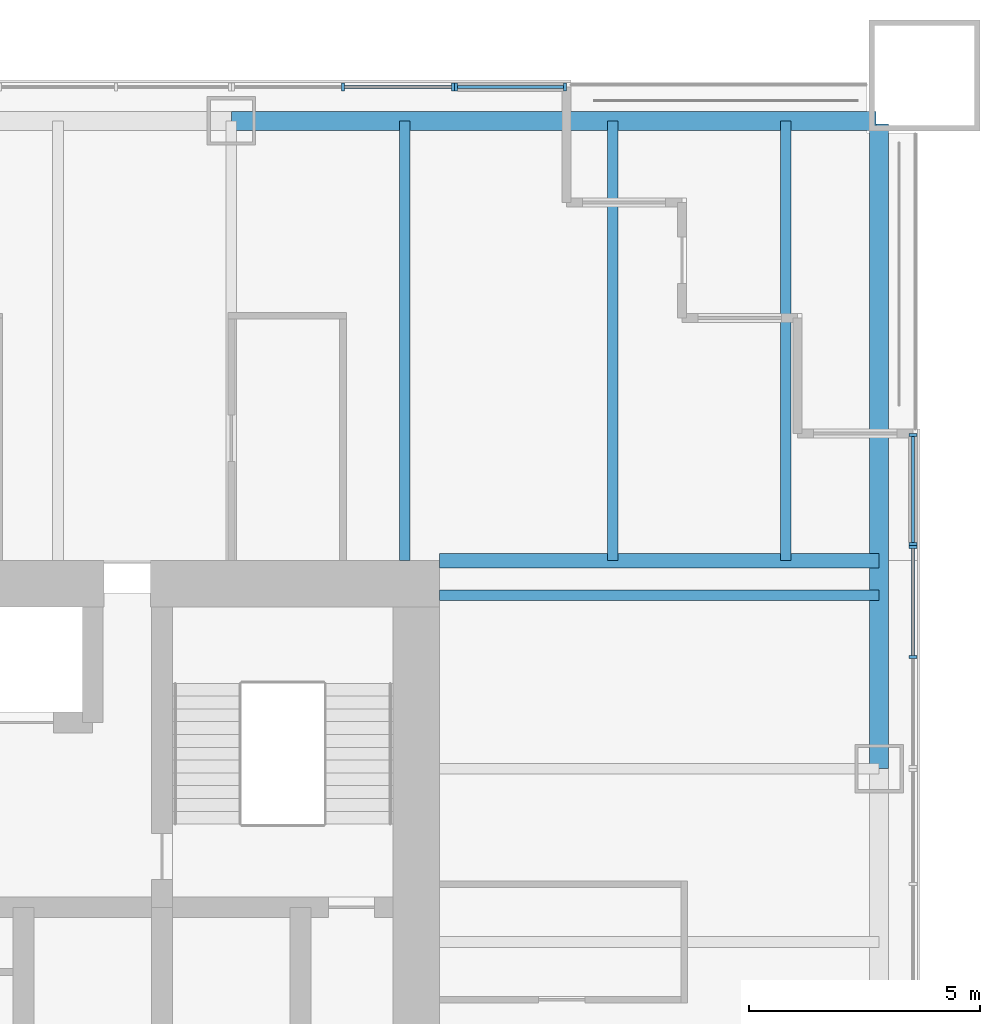
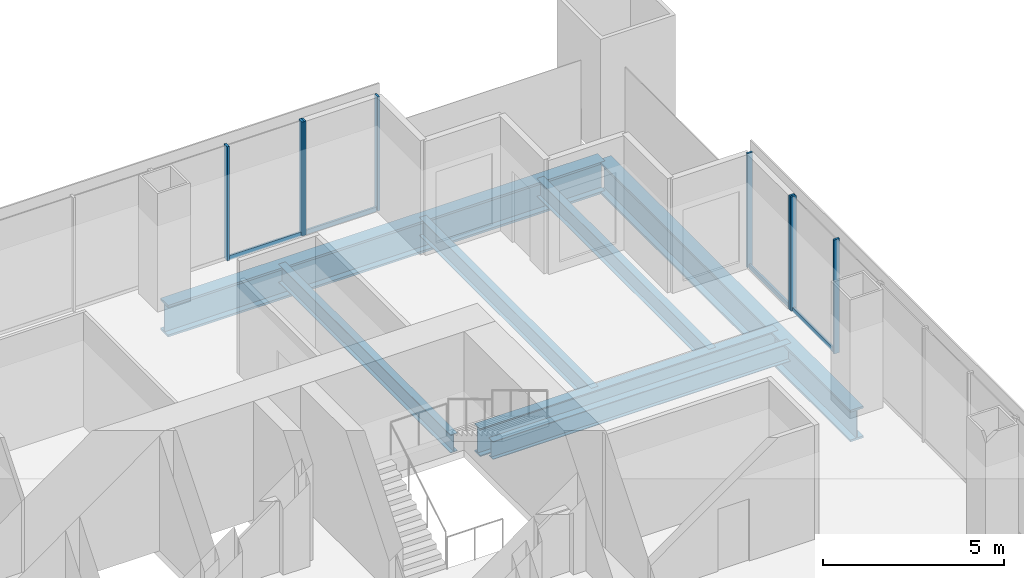
# One storey, part 6 of 13: 12 members, 7 beams, 4 elements without a shape of their own.
"""IFC4 building model written with IfcOpenShell, lengths in metres."""

from ifc_helpers import new_model, si_unit, direction, frame, origin, origin_2d, place, context, subcontext, project, spatial, rectangle, i_section, extrude, material, material_profile, profile_set, type_object, element, aggregate, save


model = new_model("IFC4")

# Units and contexts
model_context = context("Model", 3, precision=1e-05, world=origin(), true_north=direction((0.0, 1.0)))
body_context = subcontext(model_context, "Body", "Model", "MODEL_VIEW")
ifc_project = project(units=[si_unit("LENGTHUNIT", "METRE"), si_unit("AREAUNIT", "SQUARE_METRE"), si_unit("VOLUMEUNIT", "CUBIC_METRE"), si_unit("PLANEANGLEUNIT", "RADIAN"), si_unit("MASSUNIT", "GRAM", prefix="KILO")], contexts=[model_context])

# Site, building, storey
site_placement = place(None, origin())
site = spatial("IfcSite", under=ifc_project, at=site_placement, CompositionType="ELEMENT")
building_placement = place(site_placement, origin())
building = spatial("IfcBuilding", under=site, at=building_placement, Name="Tarangal Relay Tower", CompositionType="ELEMENT")
storey_placement = place(building_placement, frame((0.0, 0.0, 245.89990234375)))
storey = spatial("IfcBuildingStorey", under=building, at=storey_placement, Name="L53", CompositionType="ELEMENT", Elevation=245.89990234375)

# Beams
ifc_material_1 = material(Name="Steel ASTM A992", Category="steel")
ifc_material_profile_1 = material_profile(ifc_material_1, i_section(OverallWidth=0.227783203125, OverallDepth=0.60205078125, WebThickness=0.010498046875, FlangeThickness=0.014892578125, at=origin_2d()), Name="W24X68")
ifc_profile_set_1 = profile_set([ifc_material_profile_1], Name="Steel ASTM A992")
beam_type_1 = type_object("IfcBeamType", Name="Corner beam W24X68", PredefinedType="JOIST", material=ifc_profile_set_1)
for number, where, z_axis, x_axis, name in (
    (1, (15.75, 12.0, -0.450927734375), (0.0, 1.0, 0.0), (-1.0, 0.0, 0.0), "Corner beam CB11 N L53"),
    (2, (19.5, 12.0, -0.450927734375), (0.0, 1.0, 0.0), (-1.0, 0.0, 0.0), "Corner beam CB11 N L53"),
):
    element("IfcBeam", number, at=place(storey_placement, frame(where, z_axis=z_axis, x_axis=x_axis)), inside=storey, type_object=beam_type_1, Name=name, PredefinedType="JOIST", context=body_context, shape_type="SweptSolid", body=[
        extrude(i_section(OverallWidth=0.227783203125, OverallDepth=0.60205078125, WebThickness=0.010498046875, FlangeThickness=0.014892578125, at=origin_2d()), origin(), (0.0, 0.0, 1.0), 9.514892578125),
    ])
ifc_material_profile_2 = material_profile(ifc_material_1, i_section(OverallWidth=0.307373046875, OverallDepth=0.9423828125, WebThickness=0.022216796875, FlangeThickness=0.039794921875, at=origin_2d()), Name="W36X232")
ifc_profile_set_2 = profile_set([ifc_material_profile_2], Name="Steel ASTM A992")
beam_type_2 = type_object("IfcBeamType", Name="Corner girder W36X232", PredefinedType="BEAM", material=ifc_profile_set_2)
beam_placement = place(storey_placement, frame((12.0, 12.0, -0.62109375), z_axis=(1.0, 0.0, 0.0), x_axis=(0.0, 1.0, 0.0)))
element("IfcBeam", 3, at=beam_placement, inside=storey, type_object=beam_type_2, Name="Corner girder CG4 N L53", PredefinedType="BEAM", context=body_context, shape_type="SweptSolid", body=[
    extrude(i_section(OverallWidth=0.307373046875, OverallDepth=0.9423828125, WebThickness=0.022216796875, FlangeThickness=0.039794921875, at=origin_2d()), origin(), (0.0, 0.0, 1.0), 9.514892578125),
])
ifc_material_profile_3 = material_profile(ifc_material_1, i_section(OverallWidth=0.41650390625, OverallDepth=1.0693359375, WebThickness=0.0390625, FlangeThickness=0.070068359375, at=origin_2d()), Name="W40X503")
ifc_profile_set_3 = profile_set([ifc_material_profile_3], Name="Steel ASTM A992")
beam_type_3 = type_object("IfcBeamType", Name="Edge girder W40X503", PredefinedType="SPANDREL", material=ifc_profile_set_3)
for number, where, z_axis, x_axis, name in (
    (4, (7.5, 21.514892578125, -0.6845703125), (1.0, 0.0, 0.0), (0.0, 1.0, 0.0), "Edge girder EG8 N L53"),
    (5, (21.514892578125, 21.449951171875, -0.6845703125), (0.0, -1.0, 0.0), (1.0, 0.0, 0.0), "Edge girder EG8 E L53"),
):
    element("IfcBeam", number, at=place(storey_placement, frame(where, z_axis=z_axis, x_axis=x_axis)), inside=storey, type_object=beam_type_3, Name=name, PredefinedType="SPANDREL", context=body_context, shape_type="SweptSolid", body=[
        extrude(i_section(OverallWidth=0.41650390625, OverallDepth=1.0693359375, WebThickness=0.0390625, FlangeThickness=0.070068359375, at=origin_2d()), origin(), (0.0, 0.0, 1.0), 13.949951171875),
    ])
ifc_material_profile_4 = material_profile(ifc_material_1, i_section(OverallWidth=0.22900390625, OverallDepth=0.612060546875, WebThickness=0.011962890625, FlangeThickness=0.01953125, at=origin_2d()), Name="W24X84")
ifc_profile_set_4 = profile_set([ifc_material_profile_4], Name="Steel ASTM A992")
beam_type_4 = type_object("IfcBeamType", Name="Floor beam W24X84", PredefinedType="BEAM", material=ifc_profile_set_4)
for number, where, z_axis, x_axis, name in (
    (6, (11.25, 12.0, -0.455810546875), (0.0, 1.0, 0.0), (-1.0, 0.0, 0.0), "Floor beam RB12 N L53"),
    (7, (12.0, 11.25, -0.455810546875), (1.0, 0.0, 0.0), (0.0, 1.0, 0.0), "Floor beam RB12 E L53"),
):
    element("IfcBeam", number, at=place(storey_placement, frame(where, z_axis=z_axis, x_axis=x_axis)), inside=storey, type_object=beam_type_4, Name=name, PredefinedType="BEAM", context=body_context, shape_type="SweptSolid", body=[
        extrude(i_section(OverallWidth=0.22900390625, OverallDepth=0.612060546875, WebThickness=0.011962890625, FlangeThickness=0.01953125, at=origin_2d()), origin(), (0.0, 0.0, 1.0), 9.514892578125),
    ])

# Curtain wall, members
ifc_material_2 = material(Name="Unitised curtain wall, dark glass and black aluminium", Category="aluminium")
curtain_wall_type_1 = type_object("IfcCurtainWallType", Name="Curtain wall CW-A", PredefinedType="USERDEFINED", material=ifc_material_2)
curtain_wall_1_placement = place(storey_placement, origin())
curtain_wall_1 = element("IfcCurtainWall", 8, at=curtain_wall_1_placement, inside=storey, type_object=curtain_wall_type_1, Name="Curtain wall CW-A N facade L53", ObjectType="UNITISED CURTAIN WALL", PredefinedType="USERDEFINED")
ifc_material_3 = material(Name="Black anodised aluminium mullion", Category="aluminium")
ifc_material_profile_5 = material_profile(ifc_material_3, rectangle(XDim=0.175048828125, YDim=0.06494140625, at=origin_2d()), Name="CW-AM 65X175")
ifc_profile_set_5 = profile_set([ifc_material_profile_5], Name="Black anodised aluminium mullion")
member_type_1 = type_object("IfcMemberType", Name="Mullion CW-A 65 x 175", PredefinedType="MULLION", material=ifc_profile_set_5)
member_1_placement = place(storey_placement, frame((9.916748046875, 22.25, 0.0), z_axis=(0.0, 0.0, 1.0), x_axis=(0.0, 1.0, 0.0)))
member_1 = element("IfcMember", 9, at=member_1_placement, type_object=member_type_1, Name="CW-A mullion 2", PredefinedType="MULLION", context=body_context, shape_type="SweptSolid", body=[
    extrude(rectangle(XDim=0.175048828125, YDim=0.06494140625, at=origin_2d()), origin(), (0.0, 0.0, 1.0), 3.85009765625),
])
member_2_placement = place(storey_placement, frame((12.30078125, 22.25, 0.0), z_axis=(0.0, 0.0, 1.0), x_axis=(0.0, 1.0, 0.0)))
member_2 = element("IfcMember", 10, at=member_2_placement, type_object=member_type_1, Name="CW-A mullion 3", PredefinedType="MULLION", context=body_context, shape_type="SweptSolid", body=[
    extrude(rectangle(XDim=0.175048828125, YDim=0.06494140625, at=origin_2d()), origin(), (0.0, 0.0, 1.0), 3.85009765625),
])

curtain_wall_2_placement = place(storey_placement, origin())
curtain_wall_2 = element("IfcCurtainWall", 11, at=curtain_wall_2_placement, inside=storey, type_object=curtain_wall_type_1, Name="Curtain wall CW-A E facade L53", ObjectType="UNITISED CURTAIN WALL", PredefinedType="USERDEFINED")
member_3_placement = place(storey_placement, frame((22.25, 12.30078125, 0.0), z_axis=(0.0, 0.0, 1.0), x_axis=(1.0, 0.0, 0.0)))
member_3 = element("IfcMember", 12, at=member_3_placement, type_object=member_type_1, Name="CW-A mullion 1", PredefinedType="MULLION", context=body_context, shape_type="SweptSolid", body=[
    extrude(rectangle(XDim=0.175048828125, YDim=0.06494140625, at=origin_2d()), origin(), (0.0, 0.0, 1.0), 3.85009765625),
])
member_4_placement = place(storey_placement, frame((22.25, 9.916748046875, 0.0), z_axis=(0.0, 0.0, 1.0), x_axis=(1.0, 0.0, 0.0)))
member_4 = element("IfcMember", 13, at=member_4_placement, type_object=member_type_1, Name="CW-A mullion 2", PredefinedType="MULLION", context=body_context, shape_type="SweptSolid", body=[
    extrude(rectangle(XDim=0.175048828125, YDim=0.06494140625, at=origin_2d()), origin(), (0.0, 0.0, 1.0), 3.85009765625),
])

ifc_material_4 = material(Name="Unitised curtain wall frame, black aluminium, with metal clad infill walls", Category="aluminium")
curtain_wall_type_2 = type_object("IfcCurtainWallType", Name="Curtain wall CW-AO", PredefinedType="USERDEFINED", material=ifc_material_4)
curtain_wall_3_placement = place(storey_placement, origin())
curtain_wall_3 = element("IfcCurtainWall", 14, at=curtain_wall_3_placement, inside=storey, type_object=curtain_wall_type_2, Name="Curtain wall CW-AO N facade L53", ObjectType="UNITISED CURTAIN WALL", PredefinedType="USERDEFINED")
ifc_material_profile_6 = material_profile(ifc_material_3, rectangle(XDim=0.175048828125, YDim=0.06494140625, at=origin_2d()), Name="CW-AOM 65X175")
ifc_profile_set_6 = profile_set([ifc_material_profile_6], Name="Black anodised aluminium mullion")
member_type_2 = type_object("IfcMemberType", Name="Mullion CW-AO 65 x 175", PredefinedType="MULLION", material=ifc_profile_set_6)
member_5_placement = place(storey_placement, frame((12.36572265625, 22.25, 0.0), z_axis=(0.0, 0.0, 1.0), x_axis=(0.0, 1.0, 0.0)))
member_5 = element("IfcMember", 15, at=member_5_placement, type_object=member_type_2, Name="CW-AO mullion 1", PredefinedType="MULLION", context=body_context, shape_type="SweptSolid", body=[
    extrude(rectangle(XDim=0.175048828125, YDim=0.06494140625, at=origin_2d()), origin(), (0.0, 0.0, 1.0), 3.85009765625),
])
member_6_placement = place(storey_placement, frame((14.717529296875, 22.25, 0.0), z_axis=(0.0, 0.0, 1.0), x_axis=(0.0, 1.0, 0.0)))
member_6 = element("IfcMember", 16, at=member_6_placement, type_object=member_type_2, Name="CW-AO mullion 2", PredefinedType="MULLION", context=body_context, shape_type="SweptSolid", body=[
    extrude(rectangle(XDim=0.175048828125, YDim=0.06494140625, at=origin_2d()), origin(), (0.0, 0.0, 1.0), 3.85009765625),
])

curtain_wall_4_placement = place(storey_placement, origin())
curtain_wall_4 = element("IfcCurtainWall", 17, at=curtain_wall_4_placement, inside=storey, type_object=curtain_wall_type_2, Name="Curtain wall CW-AO E facade L53", ObjectType="UNITISED CURTAIN WALL", PredefinedType="USERDEFINED")
member_7_placement = place(storey_placement, frame((22.25, 14.717529296875, 0.0), z_axis=(0.0, 0.0, 1.0), x_axis=(1.0, 0.0, 0.0)))
member_7 = element("IfcMember", 18, at=member_7_placement, type_object=member_type_2, Name="CW-AO mullion 1", PredefinedType="MULLION", context=body_context, shape_type="SweptSolid", body=[
    extrude(rectangle(XDim=0.175048828125, YDim=0.06494140625, at=origin_2d()), origin(), (0.0, 0.0, 1.0), 3.85009765625),
])
member_8_placement = place(storey_placement, frame((22.25, 12.36572265625, 0.0), z_axis=(0.0, 0.0, 1.0), x_axis=(1.0, 0.0, 0.0)))
member_8 = element("IfcMember", 19, at=member_8_placement, type_object=member_type_2, Name="CW-AO mullion 2", PredefinedType="MULLION", context=body_context, shape_type="SweptSolid", body=[
    extrude(rectangle(XDim=0.175048828125, YDim=0.06494140625, at=origin_2d()), origin(), (0.0, 0.0, 1.0), 3.85009765625),
])

# Member
ifc_material_5 = material(Name="Black anodised aluminium transom", Category="aluminium")
ifc_material_profile_7 = material_profile(ifc_material_5, rectangle(XDim=0.06494140625, YDim=0.14990234375, at=origin_2d()), Name="CW-AT 65X150")
ifc_profile_set_7 = profile_set([ifc_material_profile_7], Name="Black anodised aluminium transom")
member_type_3 = type_object("IfcMemberType", Name="Transom CW-A 65 x 150", PredefinedType="USERDEFINED", material=ifc_profile_set_7)
member_9_placement = place(storey_placement, frame((9.94921875, 22.25, 0.03271484375), z_axis=(1.0, 0.0, 0.0), x_axis=(0.0, 1.0, 0.0)))
member_9 = element("IfcMember", 20, at=member_9_placement, type_object=member_type_3, Name="CW-A transom 2.1", ObjectType="TRANSOM", PredefinedType="USERDEFINED", context=body_context, shape_type="SweptSolid", body=[
    extrude(rectangle(XDim=0.06494140625, YDim=0.14990234375, at=origin_2d()), origin(), (0.0, 0.0, 1.0), 2.319091796875),
])

aggregate(curtain_wall_1, [member_1, member_2, member_9])

member_10_placement = place(storey_placement, frame((22.25, 12.268310546875, 0.03271484375), z_axis=(0.0, -1.0, 0.0), x_axis=(1.0, 0.0, 0.0)))
member_10 = element("IfcMember", 21, at=member_10_placement, type_object=member_type_3, Name="CW-A transom 1.1", ObjectType="TRANSOM", PredefinedType="USERDEFINED", context=body_context, shape_type="SweptSolid", body=[
    extrude(rectangle(XDim=0.06494140625, YDim=0.14990234375, at=origin_2d()), origin(), (0.0, 0.0, 1.0), 2.319091796875),
])

aggregate(curtain_wall_2, [member_3, member_4, member_10])

ifc_material_profile_8 = material_profile(ifc_material_5, rectangle(XDim=0.06494140625, YDim=0.14990234375, at=origin_2d()), Name="CW-AOT 65X150")
ifc_profile_set_8 = profile_set([ifc_material_profile_8], Name="Black anodised aluminium transom")
member_type_4 = type_object("IfcMemberType", Name="Transom CW-AO 65 x 150", PredefinedType="USERDEFINED", material=ifc_profile_set_8)
member_11_placement = place(storey_placement, frame((12.398193359375, 22.25, 0.03271484375), z_axis=(1.0, 0.0, 0.0), x_axis=(0.0, 1.0, 0.0)))
member_11 = element("IfcMember", 22, at=member_11_placement, type_object=member_type_4, Name="CW-AO transom 1.1", ObjectType="TRANSOM", PredefinedType="USERDEFINED", context=body_context, shape_type="SweptSolid", body=[
    extrude(rectangle(XDim=0.06494140625, YDim=0.14990234375, at=origin_2d()), origin(), (0.0, 0.0, 1.0), 2.286865234375),
])

aggregate(curtain_wall_3, [member_5, member_6, member_11])

member_12_placement = place(storey_placement, frame((22.25, 14.68505859375, 0.03271484375), z_axis=(0.0, -1.0, 0.0), x_axis=(1.0, 0.0, 0.0)))
member_12 = element("IfcMember", 23, at=member_12_placement, type_object=member_type_4, Name="CW-AO transom 1.1", ObjectType="TRANSOM", PredefinedType="USERDEFINED", context=body_context, shape_type="SweptSolid", body=[
    extrude(rectangle(XDim=0.06494140625, YDim=0.14990234375, at=origin_2d()), origin(), (0.0, 0.0, 1.0), 2.286865234375),
])

aggregate(curtain_wall_4, [member_7, member_8, member_12])

save(model, "model.ifc")
